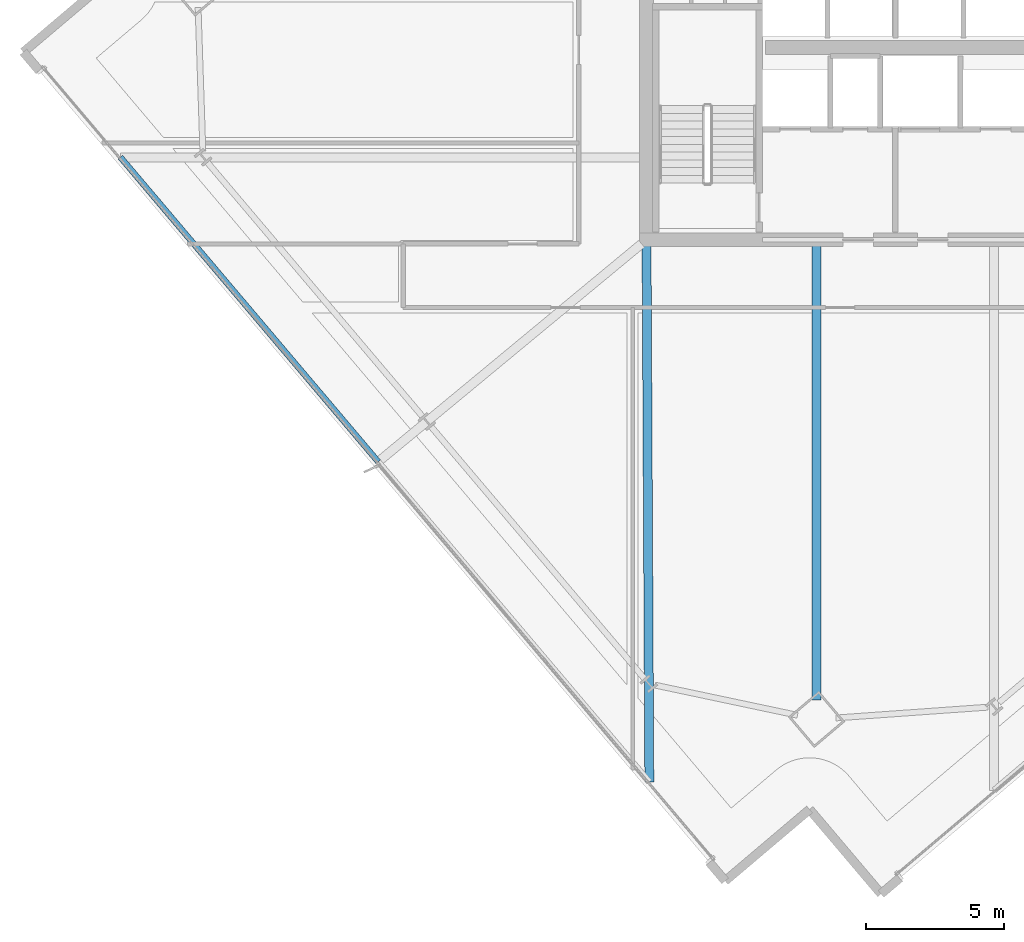
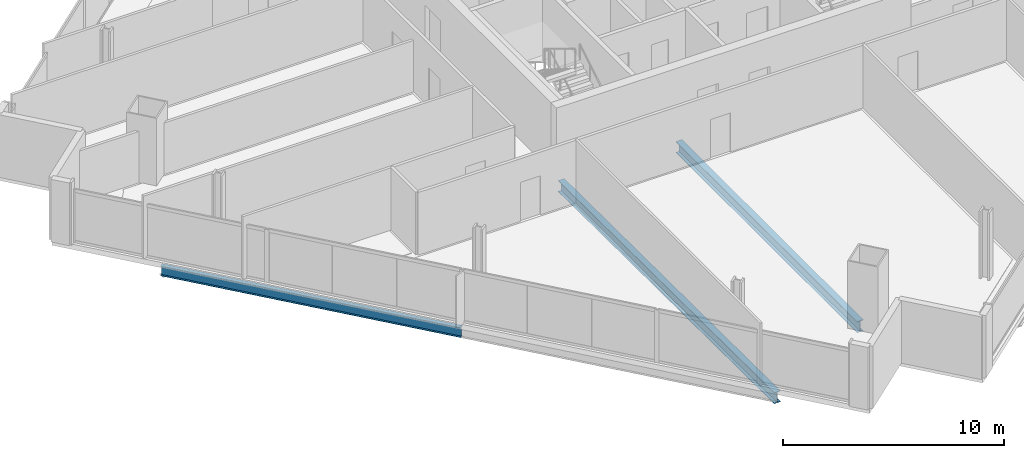
# One storey, part 5 of 34: 3 beams.
"""IFC4 building model written with IfcOpenShell, lengths in metres."""

from ifc_helpers import new_model, si_unit, direction, frame, origin, origin_2d, place, context, subcontext, project, spatial, i_section, extrude, material, material_profile, profile_set, type_object, element, save


model = new_model("IFC4")

# Units and contexts
model_context = context("Model", 3, precision=1e-05, world=origin(), true_north=direction((0.0, 1.0)))
body_context = subcontext(model_context, "Body", "Model", "MODEL_VIEW")
ifc_project = project(units=[si_unit("LENGTHUNIT", "METRE"), si_unit("AREAUNIT", "SQUARE_METRE"), si_unit("VOLUMEUNIT", "CUBIC_METRE"), si_unit("PLANEANGLEUNIT", "RADIAN"), si_unit("MASSUNIT", "GRAM", prefix="KILO")], contexts=[model_context])

# Site, building, storey
site_placement = place(None, origin())
site = spatial("IfcSite", under=ifc_project, at=site_placement, CompositionType="ELEMENT")
building_placement = place(site_placement, origin())
building = spatial("IfcBuilding", under=site, at=building_placement, Name="Haldenkirk Collegiate Tower", CompositionType="ELEMENT")
storey_placement = place(building_placement, frame((0.0, 0.0, 163.199951171875)))
storey = spatial("IfcBuildingStorey", under=building, at=storey_placement, Name="L40", CompositionType="ELEMENT", Elevation=163.199951171875)

# Beams
ifc_material = material(Name="Steel ASTM A992 Grade 50", Category="steel")
ifc_material_profile_1 = material_profile(ifc_material, i_section(OverallWidth=0.324951171875, OverallDepth=0.615966796875, WebThickness=0.013916015625, FlangeThickness=0.021484375, at=origin_2d()), Name="W24X117")
ifc_profile_set_1 = profile_set([ifc_material_profile_1], Name="Steel ASTM A992 Grade 50")
beam_type_1 = type_object("IfcBeamType", Name="BM-GIRDER-W24X117", PredefinedType="BEAM", material=ifc_profile_set_1)
beam_1_placement = place(storey_placement, frame((33.149169921875, 1.36279296875, -0.597900390625), z_axis=(0.0, 1.0, 0.0), x_axis=(-1.0, 0.0, 0.0)))
element("IfcBeam", 1, at=beam_1_placement, inside=storey, type_object=beam_type_1, Name="L40 primary floor girder 01", PredefinedType="BEAM", context=body_context, shape_type="SweptSolid", body=[
    extrude(i_section(OverallWidth=0.324951171875, OverallDepth=0.615966796875, WebThickness=0.013916015625, FlangeThickness=0.021484375, at=origin_2d()), origin(), (0.0, 0.0, 1.0), 16.4072265625),
])
beam_2_placement = place(storey_placement, frame((27.101318359375, -1.60791015625, -0.597900390625), z_axis=(-0.00516548065, 0.999986658816, 0.0), x_axis=(-0.999986658816, -0.00516548065, 0.0)))
element("IfcBeam", 2, at=beam_2_placement, inside=storey, type_object=beam_type_1, Name="L40 primary floor girder 16", PredefinedType="BEAM", context=body_context, shape_type="SweptSolid", body=[
    extrude(i_section(OverallWidth=0.324951171875, OverallDepth=0.615966796875, WebThickness=0.013916015625, FlangeThickness=0.021484375, at=origin_2d()), origin(), (0.0, 0.0, 1.0), 19.378173828125),
])
ifc_material_profile_2 = material_profile(ifc_material, i_section(OverallWidth=0.2119140625, OverallDepth=0.5439453125, WebThickness=0.01318359375, FlangeThickness=0.021240234375, at=origin_2d()), Name="W21X83")
ifc_profile_set_2 = profile_set([ifc_material_profile_2], Name="Steel ASTM A992 Grade 50")
beam_type_2 = type_object("IfcBeamType", Name="BM-SPANDREL-W21X83", PredefinedType="SPANDREL", material=ifc_profile_set_2)
beam_3_placement = place(storey_placement, frame((7.976318359375, 20.9833984375, -0.56201171875), z_axis=(0.646118972392, -0.763236708705, 0.0), x_axis=(0.763236708705, 0.646118972392, 0.0)))
element("IfcBeam", 3, at=beam_3_placement, inside=storey, type_object=beam_type_2, Name="L40 outer facade edge beam 4A", PredefinedType="SPANDREL", context=body_context, shape_type="SweptSolid", body=[
    extrude(i_section(OverallWidth=0.2119140625, OverallDepth=0.5439453125, WebThickness=0.01318359375, FlangeThickness=0.021240234375, at=origin_2d()), origin(), (0.0, 0.0, 1.0), 14.42724609375),
])

save(model, "model.ifc")
